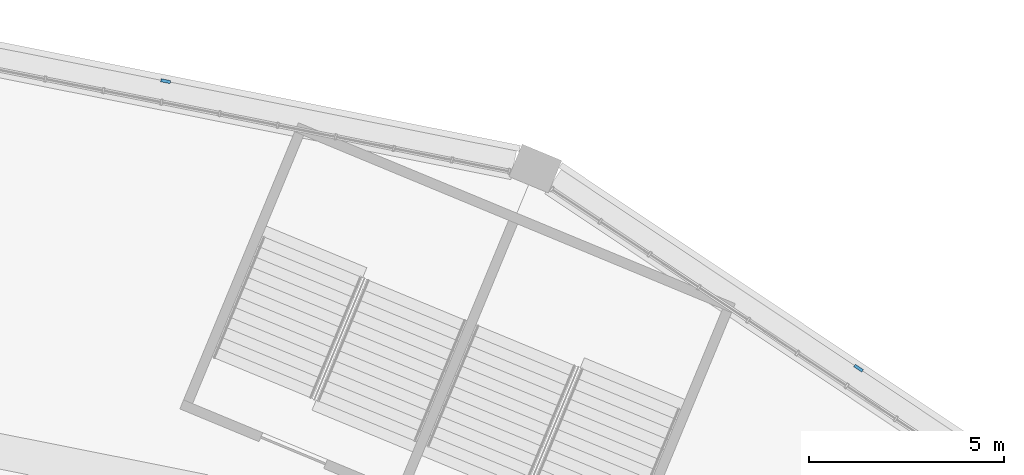
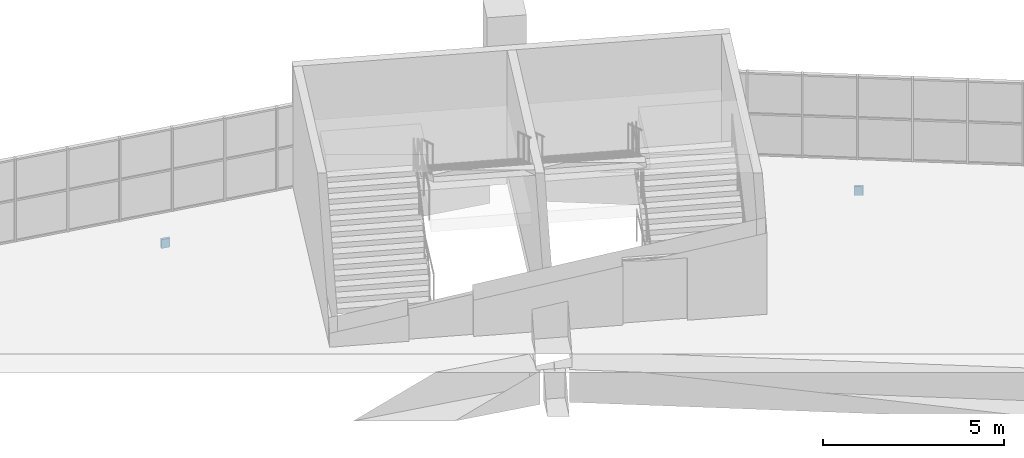
# One storey, part 114 of 249: 2 discrete accessories.
"""IFC4 building model written with IfcOpenShell, lengths in metres."""

from ifc_helpers import new_model, si_unit, direction, frame, origin, origin_2d, place, context, subcontext, project, spatial, rectangle, extrude, material, layer, layer_set, type_object, element, save


model = new_model("IFC4")

# Units and contexts
model_context = context("Model", 3, precision=1e-05, world=origin(), true_north=direction((0.0, 1.0)))
body_context = subcontext(model_context, "Body", "Model", "MODEL_VIEW")
ifc_project = project(units=[si_unit("LENGTHUNIT", "METRE"), si_unit("AREAUNIT", "SQUARE_METRE"), si_unit("VOLUMEUNIT", "CUBIC_METRE"), si_unit("PLANEANGLEUNIT", "RADIAN"), si_unit("MASSUNIT", "GRAM", prefix="KILO")], contexts=[model_context])

# Site, building, storey
site_placement = place(None, origin())
site = spatial("IfcSite", under=ifc_project, at=site_placement, CompositionType="ELEMENT")
building_placement = place(site_placement, origin())
building = spatial("IfcBuilding", under=site, at=building_placement, Name="Ogive Plaza Stadium", CompositionType="ELEMENT")
storey_placement = place(building_placement, frame((0.0, 0.0, 13.5)))
storey = spatial("IfcBuildingStorey", under=building, at=storey_placement, Name="L03", CompositionType="ELEMENT", Elevation=13.5)

# Discrete accessories
ifc_material = material(Name="Steel ASTM A572 Grade 50", Category="steel")
ifc_layer = layer(ifc_material, 0.080078125)
ifc_layer_set = layer_set([ifc_layer], Name="Steel ASTM A572 Grade 50")
discrete_accessory_type = type_object("IfcDiscreteAccessoryType", Name="Spandrel cladding bracket 250x300", PredefinedType="BRACKET", material=ifc_layer_set)
for number, where, z_axis, x_axis, name in (
    (1, (43.635498046875, 100.940185546875, -1.60986328125), (0.0, 0.0, 1.0), (0.980785280413, -0.195090321965, 0.0), "SPANDREL BRACKET B37 L03"),
    (2, (61.439208984375, 93.565673828125, -1.60986328125), (0.0, 0.0, 1.0), (0.831469612312, -0.555570233005, 0.0), "SPANDREL BRACKET B38 L03"),
):
    element("IfcDiscreteAccessory", number, at=place(storey_placement, frame(where, z_axis=z_axis, x_axis=x_axis)), inside=storey, type_object=discrete_accessory_type, Name=name, PredefinedType="BRACKET", context=body_context, shape_type="SweptSolid", body=[
        extrude(rectangle(XDim=0.25, YDim=0.080078125, at=origin_2d()), origin(), (0.0, 0.0, 1.0), 0.300048828125),
    ])

save(model, "model.ifc")
